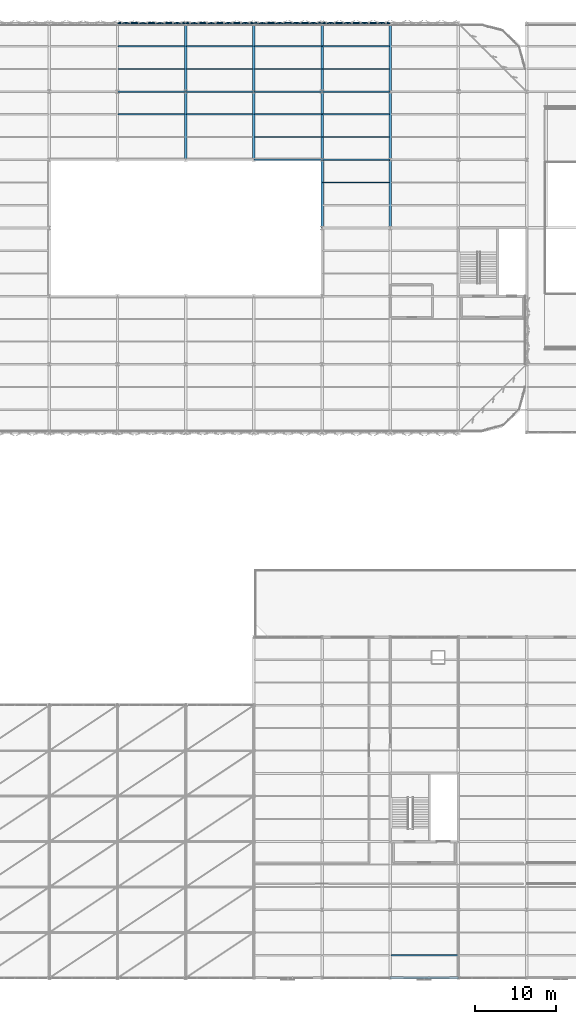
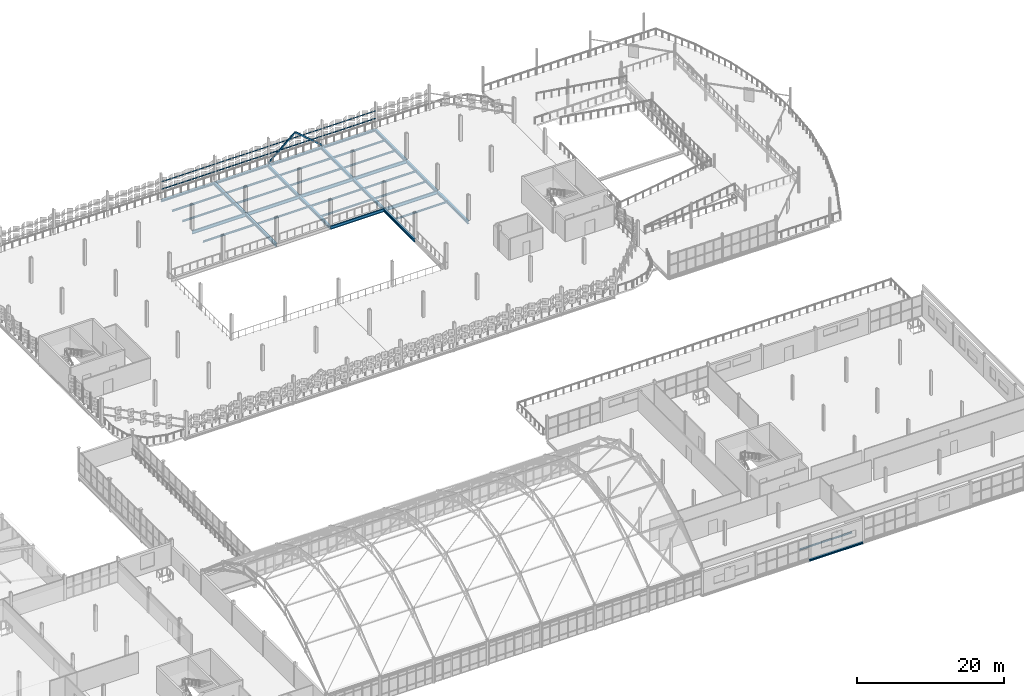
# One storey, part 117 of 184: 45 beams, 2 members.
"""IFC4 building model written with IfcOpenShell, lengths in metres."""

import ifcopenshell
import ifcopenshell.guid

model = None  # the IFC model being written
_history = None  # IfcOwnerHistory: only IFC2X3 demands one
_inside = {}  # id of a spatial element -> (the spatial element, [elements in it])
_under = {}  # id of a project, library or spatial element -> (it, [spatial elements below it])
_declared = {}  # id of a project -> (the project, [libraries it declares])
_typed = {}  # id of a type object -> (the type object, [elements of that type])
_made_of = {}  # id of a material, layer set ... -> (it, [elements and type objects made of it])


def new_model(schema):
    """Start an empty IFC model of exactly this schema.

    Asked for "IFC4X3", IfcOpenShell would pick the latest addendum, in which some entities
    have other attributes; the version numbers below select the first issue.
    IFC2X3 requires an IfcOwnerHistory on every rooted entity: one is made here for all.
    """
    global model, _history
    if schema == "IFC4X3":
        model = ifcopenshell.file(schema_version=(4, 3, 0, 0))
    else:
        model = ifcopenshell.file(schema=schema)
    _inside.clear()
    _under.clear()
    _declared.clear()
    _typed.clear()
    _made_of.clear()
    _history = None
    if model.schema == "IFC2X3":
        org = make("IfcOrganization", Name="unknown")
        user = make(
            "IfcPersonAndOrganization",
            ThePerson=make("IfcPerson", FamilyName="unknown"),
            TheOrganization=org,
        )
        app = make(
            "IfcApplication",
            ApplicationDeveloper=org,
            Version="unknown",
            ApplicationFullName="unknown",
            ApplicationIdentifier="unknown",
        )
        _history = make(
            "IfcOwnerHistory",
            OwningUser=user,
            OwningApplication=app,
            ChangeAction="ADDED",
            CreationDate=0,
        )
    return model


def make(cls, **values):
    """One entity of the class cls with the attributes given. An attribute that is None is left unset."""
    return model.create_entity(
        cls, **{name: value for name, value in values.items() if value is not None}
    )


def rooted(cls, **values):
    """An entity with a GlobalId (a new one), such as an element, a storey or a relation."""
    return make(cls, GlobalId=ifcopenshell.guid.new(), OwnerHistory=_history, **values)


def si_unit(unit_type, name, prefix=None):
    """IfcSIUnit, for example si_unit("LENGTHUNIT", "METRE", prefix="MILLI")."""
    return make("IfcSIUnit", UnitType=unit_type, Prefix=prefix, Name=name)


def assignment(units):
    """IfcUnitAssignment: the units of a project."""
    return None if units is None else make("IfcUnitAssignment", Units=units)


def point(xyz):
    """IfcCartesianPoint."""
    return None if xyz is None else make("IfcCartesianPoint", Coordinates=xyz)


def direction(xyz):
    """IfcDirection."""
    return None if xyz is None else make("IfcDirection", DirectionRatios=xyz)


def frame(location, z_axis=None, x_axis=None):
    """IfcAxis2Placement3D, a coordinate frame: its origin and axes. An axis left out is left unset."""
    return make(
        "IfcAxis2Placement3D",
        Location=point(location),
        Axis=direction(z_axis),
        RefDirection=direction(x_axis),
    )


def frame_2d(location, x_axis=None):
    """IfcAxis2Placement2D, a coordinate frame in the plane: its origin and x axis."""
    return make(
        "IfcAxis2Placement2D", Location=point(location), RefDirection=direction(x_axis)
    )


def origin():
    """The frame at (0, 0, 0) with its axes left unset."""
    return frame((0.0, 0.0, 0.0))


def origin_2d():
    """The frame at (0, 0) in the plane with its x axis left unset."""
    return frame_2d((0.0, 0.0))


def place(relative_to, where):
    """IfcLocalPlacement: puts the frame where relative to a parent placement (None: the world)."""
    return make(
        "IfcLocalPlacement", PlacementRelTo=relative_to, RelativePlacement=where
    )


def context(
    kind, dimensions, precision=None, world=None, true_north=None, identifier=None
):
    """IfcGeometricRepresentationContext, for example the 3D "Model" context."""
    return make(
        "IfcGeometricRepresentationContext",
        ContextIdentifier=identifier,
        ContextType=kind,
        CoordinateSpaceDimension=dimensions,
        Precision=precision,
        WorldCoordinateSystem=world,
        TrueNorth=true_north,
    )


def subcontext(parent, identifier, kind, view, scale=None):
    """IfcGeometricRepresentationSubContext, for example "Body" below "Model"."""
    return make(
        "IfcGeometricRepresentationSubContext",
        ContextIdentifier=identifier,
        ContextType=kind,
        ParentContext=parent,
        TargetScale=scale,
        TargetView=view,
    )


def project(units=None, contexts=None):
    """IfcProject with its units and contexts."""
    return rooted(
        "IfcProject",
        Name="project",
        RepresentationContexts=contexts,
        UnitsInContext=assignment(units),
    )


def spatial(cls, under=None, at=None, **own):
    """A site, building, storey or space (cls), placed at a placement, below another one or the project."""
    s = rooted(cls, ObjectPlacement=at, **own)
    if under is not None:
        _under.setdefault(under.id(), (under, []))[1].append(s)
    return s


def profile(cls, at=None, kind="AREA", **sizes):
    """A parametric profile (cls). Its sizes go by their IFC names, for example OverallWidth=200.0."""
    return make(cls, ProfileType=kind, Position=at, **sizes)


def hollow_rectangle(**sizes):
    """IfcRectangleHollowProfileDef."""
    return profile("IfcRectangleHollowProfileDef", **sizes)


def i_section(**sizes):
    """IfcIShapeProfileDef."""
    return profile("IfcIShapeProfileDef", **sizes)


def extrude(swept, where, along, depth):
    """IfcExtrudedAreaSolid: the profile swept, set in the frame where, extruded along a direction by depth."""
    return make(
        "IfcExtrudedAreaSolid",
        SweptArea=swept,
        Position=where,
        ExtrudedDirection=direction(along),
        Depth=depth,
    )


def shape(context_of_items, identifier, shape_type, items):
    """IfcShapeRepresentation: the items that make up one representation, for example the "Body"."""
    return make(
        "IfcShapeRepresentation",
        ContextOfItems=context_of_items,
        RepresentationIdentifier=identifier,
        RepresentationType=shape_type,
        Items=items,
    )


def material(Name=None, Category=None):
    """IfcMaterial."""
    return make("IfcMaterial", Name=Name, Category=Category)


def material_profile(
    of_material, cross_section, Name=None, Category=None, Priority=None
):
    """IfcMaterialProfile: a cross section and its material."""
    return make(
        "IfcMaterialProfile",
        Name=Name,
        Material=of_material,
        Profile=cross_section,
        Priority=Priority,
        Category=Category,
    )


def profile_set(profiles, Name=None, composite=None):
    """IfcMaterialProfileSet."""
    return make(
        "IfcMaterialProfileSet",
        Name=Name,
        MaterialProfiles=profiles,
        CompositeProfile=composite,
    )


def made_of(thing, what):
    """Note that an element or type object is made of a material, layer set ...; save() writes the relation."""
    if what is not None:
        _made_of.setdefault(what.id(), (what, []))[1].append(thing)
    return thing


def type_object(cls, material=None, **own):
    """A type object (cls), such as IfcWallType, which elements share."""
    return made_of(rooted(cls, **own), material)


def element(
    cls,
    number,
    at=None,
    inside=None,
    cuts=None,
    type_object=None,
    material=None,
    context=None,
    identifier="Body",
    shape_type=None,
    held_by="IfcProductDefinitionShape",
    body=None,
    shapes=None,
    **own,
):
    """One element of the class cls, such as IfcWall. Its Tag is "e" and its number.

    at: its placement. inside: the storey or other place that contains it. cuts: it is an
    opening in that element (IfcRelVoidsElement). A single representation is given by context,
    identifier, shape_type and body (its items); several are given by shapes. held_by: the class
    of the entity that holds the representations. save() writes the other relations.
    """
    e = rooted(cls, Tag="e%d" % number, ObjectPlacement=at, **own)
    if body is not None:
        shapes = [shape(context, identifier, shape_type, body)]
    if shapes is not None:
        e.Representation = make(held_by, Representations=shapes)
    if inside is not None:
        _inside.setdefault(inside.id(), (inside, []))[1].append(e)
    if cuts is not None:
        rooted(
            "IfcRelVoidsElement", RelatingBuildingElement=cuts, RelatedOpeningElement=e
        )
    if type_object is not None:
        _typed.setdefault(type_object.id(), (type_object, []))[1].append(e)
    return made_of(e, material)


def aggregate(whole, parts):
    """IfcRelAggregates: a whole, such as a stair, and the parts it consists of."""
    return rooted("IfcRelAggregates", RelatingObject=whole, RelatedObjects=parts)


def save(model, path):
    """Write the relations noted so far, then the file.

    IfcRelAggregates (storeys below a building ...), IfcRelContainedInSpatialStructure (elements
    in a storey), IfcRelDefinesByType, IfcRelAssociatesMaterial and IfcRelDeclares: one each for
    every whole, place, type object, material and project.
    """
    for whole, parts in _under.values():
        aggregate(whole, parts)
    for where, things in _inside.values():
        rooted(
            "IfcRelContainedInSpatialStructure",
            RelatedElements=things,
            RelatingStructure=where,
        )
    for kind, things in _typed.values():
        rooted("IfcRelDefinesByType", RelatedObjects=things, RelatingType=kind)
    for what, things in _made_of.values():
        rooted("IfcRelAssociatesMaterial", RelatedObjects=things, RelatingMaterial=what)
    for by, libraries in _declared.values():
        rooted("IfcRelDeclares", RelatingContext=by, RelatedDefinitions=libraries)
    model.write(path)


model = new_model("IFC4")

# Units and contexts
model_context = context("Model", 3, precision=1e-05, world=origin(), true_north=direction((0.0, 1.0)))
body_context = subcontext(model_context, "Body", "Model", "MODEL_VIEW")
ifc_project = project(units=[si_unit("LENGTHUNIT", "METRE"), si_unit("AREAUNIT", "SQUARE_METRE"), si_unit("VOLUMEUNIT", "CUBIC_METRE"), si_unit("PLANEANGLEUNIT", "RADIAN"), si_unit("MASSUNIT", "GRAM", prefix="KILO")], contexts=[model_context])

# Site, building, storey
site_placement = place(None, origin())
site = spatial("IfcSite", under=ifc_project, at=site_placement, CompositionType="ELEMENT")
building_placement = place(site_placement, origin())
building = spatial("IfcBuilding", under=site, at=building_placement, Name="Qalvenar Corner Mobility Hub", CompositionType="ELEMENT")
storey_placement = place(building_placement, frame((0.0, 0.0, 9.0)))
storey = spatial("IfcBuildingStorey", under=building, at=storey_placement, Name="L02", CompositionType="ELEMENT", Elevation=9.0)

# Beams
ifc_material = material(Name="Steel S355", Category="steel")
ifc_material_profile_1 = material_profile(ifc_material, i_section(OverallWidth=0.300048828125, OverallDepth=0.489990234375, WebThickness=0.011962890625, FlangeThickness=0.02294921875, FilletRadius=0.027099609375, at=origin_2d()), Name="HEA500")
ifc_profile_set_1 = profile_set([ifc_material_profile_1], Name="Steel S355")
beam_type_1 = type_object("IfcBeamType", Name="BM-HEA500", PredefinedType="BEAM", material=ifc_profile_set_1)
beam_1_placement = place(storey_placement, frame((100.800048828125, 100.800048828125, -0.485107421875), z_axis=(0.0, 1.0, 0.0), x_axis=(-1.0, 0.0, 0.0)))
element("IfcBeam", 1, at=beam_1_placement, inside=storey, type_object=beam_type_1, Name="Primary Steel Girder GY-1992", PredefinedType="BEAM", context=body_context, shape_type="SweptSolid", body=[
    extrude(i_section(OverallWidth=0.300048828125, OverallDepth=0.489990234375, WebThickness=0.011962890625, FlangeThickness=0.02294921875, FilletRadius=0.027099609375, at=origin_2d()), origin(), (0.0, 0.0, 1.0), 8.39990234375),
])
beam_2_placement = place(storey_placement, frame((100.800048828125, 109.199951171875, -0.485107421875), z_axis=(0.0, 1.0, 0.0), x_axis=(-1.0, 0.0, 0.0)))
element("IfcBeam", 2, at=beam_2_placement, inside=storey, type_object=beam_type_1, Name="Primary Steel Girder GY-1993", PredefinedType="BEAM", context=body_context, shape_type="SweptSolid", body=[
    extrude(i_section(OverallWidth=0.300048828125, OverallDepth=0.489990234375, WebThickness=0.011962890625, FlangeThickness=0.02294921875, FilletRadius=0.027099609375, at=origin_2d()), origin(), (0.0, 0.0, 1.0), 8.400146484375),
])
beam_3_placement = place(storey_placement, frame((109.199951171875, 100.800048828125, -0.485107421875), z_axis=(0.0, 1.0, 0.0), x_axis=(-1.0, 0.0, 0.0)))
element("IfcBeam", 3, at=beam_3_placement, inside=storey, type_object=beam_type_1, Name="Primary Steel Girder GY-1996", PredefinedType="BEAM", context=body_context, shape_type="SweptSolid", body=[
    extrude(i_section(OverallWidth=0.300048828125, OverallDepth=0.489990234375, WebThickness=0.011962890625, FlangeThickness=0.02294921875, FilletRadius=0.027099609375, at=origin_2d()), origin(), (0.0, 0.0, 1.0), 8.39990234375),
])
for number, where, z_axis, x_axis, name in (
    (4, (109.199951171875, 109.199951171875, -0.485107421875), (0.0, 1.0, 0.0), (-1.0, 0.0, 0.0), "Primary Steel Girder GY-1997"),
    (5, (117.60009765625, 92.39990234375, -0.485107421875), (0.0, 1.0, 0.0), (-1.0, 0.0, 0.0), "Primary Steel Girder GY-2001"),
):
    element("IfcBeam", number, at=place(storey_placement, frame(where, z_axis=z_axis, x_axis=x_axis)), inside=storey, type_object=beam_type_1, Name=name, PredefinedType="BEAM", context=body_context, shape_type="SweptSolid", body=[
        extrude(i_section(OverallWidth=0.300048828125, OverallDepth=0.489990234375, WebThickness=0.011962890625, FlangeThickness=0.02294921875, FilletRadius=0.027099609375, at=origin_2d()), origin(), (0.0, 0.0, 1.0), 8.400146484375),
    ])
beam_4_placement = place(storey_placement, frame((117.60009765625, 100.800048828125, -0.485107421875), z_axis=(0.0, 1.0, 0.0), x_axis=(-1.0, 0.0, 0.0)))
element("IfcBeam", 6, at=beam_4_placement, inside=storey, type_object=beam_type_1, Name="Primary Steel Girder GY-2002", PredefinedType="BEAM", context=body_context, shape_type="SweptSolid", body=[
    extrude(i_section(OverallWidth=0.300048828125, OverallDepth=0.489990234375, WebThickness=0.011962890625, FlangeThickness=0.02294921875, FilletRadius=0.027099609375, at=origin_2d()), origin(), (0.0, 0.0, 1.0), 8.39990234375),
])
for number, where, z_axis, x_axis, name in (
    (7, (117.60009765625, 109.199951171875, -0.485107421875), (0.0, 1.0, 0.0), (-1.0, 0.0, 0.0), "Primary Steel Girder GY-2003"),
    (8, (126.0, 92.39990234375, -0.485107421875), (0.0, 1.0, 0.0), (-1.0, 0.0, 0.0), "Primary Steel Girder GY-2007"),
):
    element("IfcBeam", number, at=place(storey_placement, frame(where, z_axis=z_axis, x_axis=x_axis)), inside=storey, type_object=beam_type_1, Name=name, PredefinedType="BEAM", context=body_context, shape_type="SweptSolid", body=[
        extrude(i_section(OverallWidth=0.300048828125, OverallDepth=0.489990234375, WebThickness=0.011962890625, FlangeThickness=0.02294921875, FilletRadius=0.027099609375, at=origin_2d()), origin(), (0.0, 0.0, 1.0), 8.400146484375),
    ])
beam_5_placement = place(storey_placement, frame((126.0, 100.800048828125, -0.485107421875), z_axis=(0.0, 1.0, 0.0), x_axis=(-1.0, 0.0, 0.0)))
element("IfcBeam", 9, at=beam_5_placement, inside=storey, type_object=beam_type_1, Name="Primary Steel Girder GY-2008", PredefinedType="BEAM", context=body_context, shape_type="SweptSolid", body=[
    extrude(i_section(OverallWidth=0.300048828125, OverallDepth=0.489990234375, WebThickness=0.011962890625, FlangeThickness=0.02294921875, FilletRadius=0.027099609375, at=origin_2d()), origin(), (0.0, 0.0, 1.0), 8.39990234375),
])
beam_6_placement = place(storey_placement, frame((126.0, 109.199951171875, -0.485107421875), z_axis=(0.0, 1.0, 0.0), x_axis=(-1.0, 0.0, 0.0)))
element("IfcBeam", 10, at=beam_6_placement, inside=storey, type_object=beam_type_1, Name="Primary Steel Girder GY-2009", PredefinedType="BEAM", context=body_context, shape_type="SweptSolid", body=[
    extrude(i_section(OverallWidth=0.300048828125, OverallDepth=0.489990234375, WebThickness=0.011962890625, FlangeThickness=0.02294921875, FilletRadius=0.027099609375, at=origin_2d()), origin(), (0.0, 0.0, 1.0), 8.400146484375),
])
ifc_material_profile_2 = material_profile(ifc_material, i_section(OverallWidth=0.2099609375, OverallDepth=0.550048828125, WebThickness=0.010986328125, FlangeThickness=0.01708984375, FilletRadius=0.02392578125, at=origin_2d()), Name="IPE550")
ifc_profile_set_2 = profile_set([ifc_material_profile_2], Name="Steel S355")
beam_type_2 = type_object("IfcBeamType", Name="BM-IPE550", PredefinedType="BEAM", material=ifc_profile_set_2)
beam_7_placement = place(storey_placement, frame((109.199951171875, 100.800048828125, -0.514892578125), z_axis=(1.0, 0.0, 0.0), x_axis=(0.0, 1.0, 0.0)))
element("IfcBeam", 11, at=beam_7_placement, inside=storey, type_object=beam_type_2, Name="Primary Steel Girder GX-1942", PredefinedType="BEAM", context=body_context, shape_type="SweptSolid", body=[
    extrude(i_section(OverallWidth=0.2099609375, OverallDepth=0.550048828125, WebThickness=0.010986328125, FlangeThickness=0.01708984375, FilletRadius=0.02392578125, at=origin_2d()), origin(), (0.0, 0.0, 1.0), 8.400146484375),
])
beam_8_placement = place(storey_placement, frame((117.60009765625, 100.800048828125, -0.514892578125), z_axis=(1.0, 0.0, 0.0), x_axis=(0.0, 1.0, 0.0)))
element("IfcBeam", 12, at=beam_8_placement, inside=storey, type_object=beam_type_2, Name="Primary Steel Girder GX-1943", PredefinedType="BEAM", context=body_context, shape_type="SweptSolid", body=[
    extrude(i_section(OverallWidth=0.2099609375, OverallDepth=0.550048828125, WebThickness=0.010986328125, FlangeThickness=0.01708984375, FilletRadius=0.02392578125, at=origin_2d()), origin(), (0.0, 0.0, 1.0), 8.39990234375),
])
beam_9_placement = place(storey_placement, frame((92.39990234375, 109.199951171875, -0.514892578125), z_axis=(1.0, 0.0, 0.0), x_axis=(0.0, 1.0, 0.0)))
element("IfcBeam", 13, at=beam_9_placement, inside=storey, type_object=beam_type_2, Name="Primary Steel Girder GX-1950", PredefinedType="BEAM", context=body_context, shape_type="SweptSolid", body=[
    extrude(i_section(OverallWidth=0.2099609375, OverallDepth=0.550048828125, WebThickness=0.010986328125, FlangeThickness=0.01708984375, FilletRadius=0.02392578125, at=origin_2d()), origin(), (0.0, 0.0, 1.0), 8.400146484375),
])
beam_10_placement = place(storey_placement, frame((100.800048828125, 109.199951171875, -0.514892578125), z_axis=(1.0, 0.0, 0.0), x_axis=(0.0, 1.0, 0.0)))
element("IfcBeam", 14, at=beam_10_placement, inside=storey, type_object=beam_type_2, Name="Primary Steel Girder GX-1951", PredefinedType="BEAM", context=body_context, shape_type="SweptSolid", body=[
    extrude(i_section(OverallWidth=0.2099609375, OverallDepth=0.550048828125, WebThickness=0.010986328125, FlangeThickness=0.01708984375, FilletRadius=0.02392578125, at=origin_2d()), origin(), (0.0, 0.0, 1.0), 8.39990234375),
])
beam_11_placement = place(storey_placement, frame((109.199951171875, 109.199951171875, -0.514892578125), z_axis=(1.0, 0.0, 0.0), x_axis=(0.0, 1.0, 0.0)))
element("IfcBeam", 15, at=beam_11_placement, inside=storey, type_object=beam_type_2, Name="Primary Steel Girder GX-1952", PredefinedType="BEAM", context=body_context, shape_type="SweptSolid", body=[
    extrude(i_section(OverallWidth=0.2099609375, OverallDepth=0.550048828125, WebThickness=0.010986328125, FlangeThickness=0.01708984375, FilletRadius=0.02392578125, at=origin_2d()), origin(), (0.0, 0.0, 1.0), 8.400146484375),
])
beam_12_placement = place(storey_placement, frame((117.60009765625, 109.199951171875, -0.514892578125), z_axis=(1.0, 0.0, 0.0), x_axis=(0.0, 1.0, 0.0)))
element("IfcBeam", 16, at=beam_12_placement, inside=storey, type_object=beam_type_2, Name="Primary Steel Girder GX-1953", PredefinedType="BEAM", context=body_context, shape_type="SweptSolid", body=[
    extrude(i_section(OverallWidth=0.2099609375, OverallDepth=0.550048828125, WebThickness=0.010986328125, FlangeThickness=0.01708984375, FilletRadius=0.02392578125, at=origin_2d()), origin(), (0.0, 0.0, 1.0), 8.39990234375),
])
ifc_material_profile_3 = material_profile(ifc_material, i_section(OverallWidth=0.135009765625, OverallDepth=0.27001953125, WebThickness=0.006591796875, FlangeThickness=0.01025390625, FilletRadius=0.014892578125, at=origin_2d()), Name="IPE270")
ifc_profile_set_3 = profile_set([ifc_material_profile_3], Name="Steel S355")
beam_type_3 = type_object("IfcBeamType", Name="BM-JST270", PredefinedType="JOIST", material=ifc_profile_set_3)
beam_13_placement = place(storey_placement, frame((126.077880859375, 2.800048828125, -0.31494140625), z_axis=(1.0, 0.0, 0.0), x_axis=(0.0, 1.0, 0.0)))
element("IfcBeam", 17, at=beam_13_placement, inside=storey, type_object=beam_type_3, Name="Composite Floor Joist J-1771", PredefinedType="JOIST", context=body_context, shape_type="SweptSolid", body=[
    extrude(i_section(OverallWidth=0.135009765625, OverallDepth=0.27001953125, WebThickness=0.006591796875, FlangeThickness=0.01025390625, FilletRadius=0.014892578125, at=origin_2d()), origin(), (0.0, 0.0, 1.0), 8.244140625),
])
ifc_material_profile_4 = material_profile(ifc_material, i_section(OverallWidth=0.14990234375, OverallDepth=0.300048828125, WebThickness=0.007080078125, FlangeThickness=0.0107421875, FilletRadius=0.014892578125, at=origin_2d()), Name="IPE300")
ifc_profile_set_4 = profile_set([ifc_material_profile_4], Name="Steel S355")
beam_type_4 = type_object("IfcBeamType", Name="BM-JST300", PredefinedType="JOIST", material=ifc_profile_set_4)
for number, where, z_axis, x_axis, name in (
    (18, (92.47802734375, 106.39990234375, -0.389892578125), (1.0, 0.0, 0.0), (0.0, 1.0, 0.0), "Composite Floor Joist J-2063"),
    (19, (92.47802734375, 112.0, -0.389892578125), (1.0, 0.0, 0.0), (0.0, 1.0, 0.0), "Composite Floor Joist J-2064"),
    (20, (92.47802734375, 114.800048828125, -0.389892578125), (1.0, 0.0, 0.0), (0.0, 1.0, 0.0), "Composite Floor Joist J-2065"),
):
    element("IfcBeam", number, at=place(storey_placement, frame(where, z_axis=z_axis, x_axis=x_axis)), inside=storey, type_object=beam_type_4, Name=name, PredefinedType="JOIST", context=body_context, shape_type="SweptSolid", body=[
        extrude(i_section(OverallWidth=0.14990234375, OverallDepth=0.300048828125, WebThickness=0.007080078125, FlangeThickness=0.0107421875, FilletRadius=0.014892578125, at=origin_2d()), origin(), (0.0, 0.0, 1.0), 8.243896484375),
    ])
for number, where, z_axis, x_axis, name in (
    (21, (100.8779296875, 106.39990234375, -0.389892578125), (1.0, 0.0, 0.0), (0.0, 1.0, 0.0), "Composite Floor Joist J-2071"),
    (22, (100.8779296875, 112.0, -0.389892578125), (1.0, 0.0, 0.0), (0.0, 1.0, 0.0), "Composite Floor Joist J-2072"),
    (23, (100.8779296875, 114.800048828125, -0.389892578125), (1.0, 0.0, 0.0), (0.0, 1.0, 0.0), "Composite Floor Joist J-2073"),
):
    element("IfcBeam", number, at=place(storey_placement, frame(where, z_axis=z_axis, x_axis=x_axis)), inside=storey, type_object=beam_type_4, Name=name, PredefinedType="JOIST", context=body_context, shape_type="SweptSolid", body=[
        extrude(i_section(OverallWidth=0.14990234375, OverallDepth=0.300048828125, WebThickness=0.007080078125, FlangeThickness=0.0107421875, FilletRadius=0.014892578125, at=origin_2d()), origin(), (0.0, 0.0, 1.0), 8.244140625),
    ])
for number, where, z_axis, x_axis, name in (
    (24, (109.278076171875, 103.60009765625, -0.389892578125), (1.0, 0.0, 0.0), (0.0, 1.0, 0.0), "Composite Floor Joist J-2078"),
    (25, (109.278076171875, 106.39990234375, -0.389892578125), (1.0, 0.0, 0.0), (0.0, 1.0, 0.0), "Composite Floor Joist J-2079"),
    (26, (109.278076171875, 112.0, -0.389892578125), (1.0, 0.0, 0.0), (0.0, 1.0, 0.0), "Composite Floor Joist J-2080"),
    (27, (109.278076171875, 114.800048828125, -0.389892578125), (1.0, 0.0, 0.0), (0.0, 1.0, 0.0), "Composite Floor Joist J-2081"),
):
    element("IfcBeam", number, at=place(storey_placement, frame(where, z_axis=z_axis, x_axis=x_axis)), inside=storey, type_object=beam_type_4, Name=name, PredefinedType="JOIST", context=body_context, shape_type="SweptSolid", body=[
        extrude(i_section(OverallWidth=0.14990234375, OverallDepth=0.300048828125, WebThickness=0.007080078125, FlangeThickness=0.0107421875, FilletRadius=0.014892578125, at=origin_2d()), origin(), (0.0, 0.0, 1.0), 8.243896484375),
    ])
for number, where, z_axis, x_axis, name in (
    (28, (117.677978515625, 98.0, -0.389892578125), (1.0, 0.0, 0.0), (0.0, 1.0, 0.0), "Composite Floor Joist J-2089"),
    (29, (117.677978515625, 103.60009765625, -0.389892578125), (1.0, 0.0, 0.0), (0.0, 1.0, 0.0), "Composite Floor Joist J-2090"),
    (30, (117.677978515625, 106.39990234375, -0.389892578125), (1.0, 0.0, 0.0), (0.0, 1.0, 0.0), "Composite Floor Joist J-2091"),
    (31, (117.677978515625, 112.0, -0.389892578125), (1.0, 0.0, 0.0), (0.0, 1.0, 0.0), "Composite Floor Joist J-2092"),
    (32, (117.677978515625, 114.800048828125, -0.389892578125), (1.0, 0.0, 0.0), (0.0, 1.0, 0.0), "Composite Floor Joist J-2093"),
):
    element("IfcBeam", number, at=place(storey_placement, frame(where, z_axis=z_axis, x_axis=x_axis)), inside=storey, type_object=beam_type_4, Name=name, PredefinedType="JOIST", context=body_context, shape_type="SweptSolid", body=[
        extrude(i_section(OverallWidth=0.14990234375, OverallDepth=0.300048828125, WebThickness=0.007080078125, FlangeThickness=0.0107421875, FilletRadius=0.014892578125, at=origin_2d()), origin(), (0.0, 0.0, 1.0), 8.244140625),
    ])
ifc_material_profile_5 = material_profile(ifc_material, i_section(OverallWidth=0.300048828125, OverallDepth=0.31005859375, WebThickness=0.009033203125, FlangeThickness=0.015380859375, FilletRadius=0.027099609375, at=origin_2d()), Name="HEA320")
ifc_profile_set_5 = profile_set([ifc_material_profile_5], Name="Steel S355")
beam_type_5 = type_object("IfcBeamType", Name="BM-SPN320", PredefinedType="SPANDREL", material=ifc_profile_set_5)
beam_14_placement = place(storey_placement, frame((126.0, 0.0, -0.3349609375), z_axis=(1.0, 0.0, 0.0), x_axis=(0.0, 1.0, 0.0)))
element("IfcBeam", 33, at=beam_14_placement, inside=storey, type_object=beam_type_5, Name="Primary Steel Girder GX-1671", PredefinedType="SPANDREL", context=body_context, shape_type="SweptSolid", body=[
    extrude(i_section(OverallWidth=0.300048828125, OverallDepth=0.31005859375, WebThickness=0.009033203125, FlangeThickness=0.015380859375, FilletRadius=0.027099609375, at=origin_2d()), origin(), (0.0, 0.0, 1.0), 8.39990234375),
])
beam_15_placement = place(storey_placement, frame((92.39990234375, 117.60009765625, -0.39501953125), z_axis=(1.0, 0.0, 0.0), x_axis=(0.0, 1.0, 0.0)))
element("IfcBeam", 34, at=beam_15_placement, inside=storey, type_object=beam_type_5, Name="Primary Steel Girder GX-1959", PredefinedType="SPANDREL", context=body_context, shape_type="SweptSolid", body=[
    extrude(i_section(OverallWidth=0.300048828125, OverallDepth=0.31005859375, WebThickness=0.009033203125, FlangeThickness=0.015380859375, FilletRadius=0.027099609375, at=origin_2d()), origin(), (0.0, 0.0, 1.0), 8.400146484375),
])
beam_16_placement = place(storey_placement, frame((100.800048828125, 117.60009765625, -0.39501953125), z_axis=(1.0, 0.0, 0.0), x_axis=(0.0, 1.0, 0.0)))
element("IfcBeam", 35, at=beam_16_placement, inside=storey, type_object=beam_type_5, Name="Primary Steel Girder GX-1960", PredefinedType="SPANDREL", context=body_context, shape_type="SweptSolid", body=[
    extrude(i_section(OverallWidth=0.300048828125, OverallDepth=0.31005859375, WebThickness=0.009033203125, FlangeThickness=0.015380859375, FilletRadius=0.027099609375, at=origin_2d()), origin(), (0.0, 0.0, 1.0), 8.39990234375),
])
beam_17_placement = place(storey_placement, frame((109.199951171875, 117.60009765625, -0.39501953125), z_axis=(1.0, 0.0, 0.0), x_axis=(0.0, 1.0, 0.0)))
element("IfcBeam", 36, at=beam_17_placement, inside=storey, type_object=beam_type_5, Name="Primary Steel Girder GX-1961", PredefinedType="SPANDREL", context=body_context, shape_type="SweptSolid", body=[
    extrude(i_section(OverallWidth=0.300048828125, OverallDepth=0.31005859375, WebThickness=0.009033203125, FlangeThickness=0.015380859375, FilletRadius=0.027099609375, at=origin_2d()), origin(), (0.0, 0.0, 1.0), 8.400146484375),
])
beam_18_placement = place(storey_placement, frame((117.60009765625, 117.60009765625, -0.39501953125), z_axis=(1.0, 0.0, 0.0), x_axis=(0.0, 1.0, 0.0)))
element("IfcBeam", 37, at=beam_18_placement, inside=storey, type_object=beam_type_5, Name="Primary Steel Girder GX-1962", PredefinedType="SPANDREL", context=body_context, shape_type="SweptSolid", body=[
    extrude(i_section(OverallWidth=0.300048828125, OverallDepth=0.31005859375, WebThickness=0.009033203125, FlangeThickness=0.015380859375, FilletRadius=0.027099609375, at=origin_2d()), origin(), (0.0, 0.0, 1.0), 8.39990234375),
])

# Members
ifc_material_profile_6 = material_profile(ifc_material, hollow_rectangle(XDim=0.14990234375, YDim=0.25, WallThickness=0.010009765625, InnerFilletRadius=0.010009765625, OuterFilletRadius=0.02001953125, at=origin_2d()), Name="RHS250x150x10")
ifc_profile_set_6 = profile_set([ifc_material_profile_6], Name="Steel S355")
member_type = type_object("IfcMemberType", Name="BR-RHS250", PredefinedType="BRACE", material=ifc_profile_set_6)
member_1_placement = place(storey_placement, frame((109.199951171875, 117.60009765625, 0.02001953125), z_axis=(0.757479038629, 0.0, 0.652859484145), x_axis=(0.0, 1.0, 0.0)))
element("IfcMember", 38, at=member_1_placement, inside=storey, type_object=member_type, Name="Chevron Lateral Brace BR-033", PredefinedType="BRACE", context=body_context, shape_type="SweptSolid", body=[
    extrude(hollow_rectangle(XDim=0.14990234375, YDim=0.25, WallThickness=0.010009765625, InnerFilletRadius=0.010009765625, OuterFilletRadius=0.02001953125, at=origin_2d()), origin(), (0.0, 0.0, 1.0), 5.544677734375),
])
member_2_placement = place(storey_placement, frame((117.60009765625, 117.60009765625, 0.02001953125), z_axis=(-0.757497805166, 0.0, 0.652837709672), x_axis=(0.0, -1.0, 0.0)))
element("IfcMember", 39, at=member_2_placement, inside=storey, type_object=member_type, Name="Chevron Lateral Brace BR-034", PredefinedType="BRACE", context=body_context, shape_type="SweptSolid", body=[
    extrude(hollow_rectangle(XDim=0.14990234375, YDim=0.25, WallThickness=0.010009765625, InnerFilletRadius=0.010009765625, OuterFilletRadius=0.02001953125, at=origin_2d()), origin(), (0.0, 0.0, 1.0), 5.544921875),
])

# Beams
ifc_material_profile_7 = material_profile(ifc_material, hollow_rectangle(XDim=0.080078125, YDim=0.139892578125, WallThickness=0.0048828125, InnerFilletRadius=0.0048828125, OuterFilletRadius=0.010009765625, at=origin_2d()), Name="RHS140x80x5")
ifc_profile_set_7 = profile_set([ifc_material_profile_7], Name="Steel S355")
beam_type_6 = type_object("IfcBeamType", Name="FR-RAIL140", PredefinedType="SPANDREL", material=ifc_profile_set_7)
beam_19_placement = place(storey_placement, frame((126.0, 117.60009765625, 2.75), z_axis=(-1.0, 0.0, 0.0), x_axis=(0.0, -1.0, 0.0)))
element("IfcBeam", 40, at=beam_19_placement, inside=storey, type_object=beam_type_6, Name="Facade Hinge Support Rail FR-L02-0068", PredefinedType="SPANDREL", context=body_context, shape_type="SweptSolid", body=[
    extrude(hollow_rectangle(XDim=0.080078125, YDim=0.139892578125, WallThickness=0.0048828125, InnerFilletRadius=0.0048828125, OuterFilletRadius=0.010009765625, at=origin_2d()), origin(), (0.0, 0.0, 1.0), 8.39990234375),
])
beam_20_placement = place(storey_placement, frame((117.60009765625, 117.60009765625, 2.75), z_axis=(-1.0, 0.0, 0.0), x_axis=(0.0, -1.0, 0.0)))
element("IfcBeam", 41, at=beam_20_placement, inside=storey, type_object=beam_type_6, Name="Facade Hinge Support Rail FR-L02-0070", PredefinedType="SPANDREL", context=body_context, shape_type="SweptSolid", body=[
    extrude(hollow_rectangle(XDim=0.080078125, YDim=0.139892578125, WallThickness=0.0048828125, InnerFilletRadius=0.0048828125, OuterFilletRadius=0.010009765625, at=origin_2d()), origin(), (0.0, 0.0, 1.0), 8.400146484375),
])
beam_21_placement = place(storey_placement, frame((109.199951171875, 117.60009765625, 2.75), z_axis=(-1.0, 0.0, 0.0), x_axis=(0.0, -1.0, 0.0)))
element("IfcBeam", 42, at=beam_21_placement, inside=storey, type_object=beam_type_6, Name="Facade Hinge Support Rail FR-L02-0072", PredefinedType="SPANDREL", context=body_context, shape_type="SweptSolid", body=[
    extrude(hollow_rectangle(XDim=0.080078125, YDim=0.139892578125, WallThickness=0.0048828125, InnerFilletRadius=0.0048828125, OuterFilletRadius=0.010009765625, at=origin_2d()), origin(), (0.0, 0.0, 1.0), 8.39990234375),
])
beam_22_placement = place(storey_placement, frame((100.800048828125, 117.60009765625, 2.75), z_axis=(-1.0, 0.0, 0.0), x_axis=(0.0, -1.0, 0.0)))
element("IfcBeam", 43, at=beam_22_placement, inside=storey, type_object=beam_type_6, Name="Facade Hinge Support Rail FR-L02-0074", PredefinedType="SPANDREL", context=body_context, shape_type="SweptSolid", body=[
    extrude(hollow_rectangle(XDim=0.080078125, YDim=0.139892578125, WallThickness=0.0048828125, InnerFilletRadius=0.0048828125, OuterFilletRadius=0.010009765625, at=origin_2d()), origin(), (0.0, 0.0, 1.0), 8.400146484375),
])
ifc_material_profile_8 = material_profile(ifc_material, hollow_rectangle(XDim=0.090087890625, YDim=0.159912109375, WallThickness=0.00634765625, InnerFilletRadius=0.00634765625, OuterFilletRadius=0.0126953125, at=origin_2d()), Name="RHS160x90x6.3")
ifc_profile_set_8 = profile_set([ifc_material_profile_8], Name="Steel S355")
beam_type_7 = type_object("IfcBeamType", Name="FR-RAIL160", PredefinedType="SPANDREL", material=ifc_profile_set_8)
beam_23_placement = place(storey_placement, frame((126.0, 117.60009765625, 1.5), z_axis=(-1.0, 0.0, 0.0), x_axis=(0.0, -1.0, 0.0)))
element("IfcBeam", 44, at=beam_23_placement, inside=storey, type_object=beam_type_7, Name="Facade Hinge Support Rail FR-L02-0067", PredefinedType="SPANDREL", context=body_context, shape_type="SweptSolid", body=[
    extrude(hollow_rectangle(XDim=0.090087890625, YDim=0.159912109375, WallThickness=0.00634765625, InnerFilletRadius=0.00634765625, OuterFilletRadius=0.0126953125, at=origin_2d()), origin(), (0.0, 0.0, 1.0), 8.39990234375),
])
beam_24_placement = place(storey_placement, frame((117.60009765625, 117.60009765625, 1.5), z_axis=(-1.0, 0.0, 0.0), x_axis=(0.0, -1.0, 0.0)))
element("IfcBeam", 45, at=beam_24_placement, inside=storey, type_object=beam_type_7, Name="Facade Hinge Support Rail FR-L02-0069", PredefinedType="SPANDREL", context=body_context, shape_type="SweptSolid", body=[
    extrude(hollow_rectangle(XDim=0.090087890625, YDim=0.159912109375, WallThickness=0.00634765625, InnerFilletRadius=0.00634765625, OuterFilletRadius=0.0126953125, at=origin_2d()), origin(), (0.0, 0.0, 1.0), 8.400146484375),
])
beam_25_placement = place(storey_placement, frame((109.199951171875, 117.60009765625, 1.5), z_axis=(-1.0, 0.0, 0.0), x_axis=(0.0, -1.0, 0.0)))
element("IfcBeam", 46, at=beam_25_placement, inside=storey, type_object=beam_type_7, Name="Facade Hinge Support Rail FR-L02-0071", PredefinedType="SPANDREL", context=body_context, shape_type="SweptSolid", body=[
    extrude(hollow_rectangle(XDim=0.090087890625, YDim=0.159912109375, WallThickness=0.00634765625, InnerFilletRadius=0.00634765625, OuterFilletRadius=0.0126953125, at=origin_2d()), origin(), (0.0, 0.0, 1.0), 8.39990234375),
])
beam_26_placement = place(storey_placement, frame((100.800048828125, 117.60009765625, 1.5), z_axis=(-1.0, 0.0, 0.0), x_axis=(0.0, -1.0, 0.0)))
element("IfcBeam", 47, at=beam_26_placement, inside=storey, type_object=beam_type_7, Name="Facade Hinge Support Rail FR-L02-0073", PredefinedType="SPANDREL", context=body_context, shape_type="SweptSolid", body=[
    extrude(hollow_rectangle(XDim=0.090087890625, YDim=0.159912109375, WallThickness=0.00634765625, InnerFilletRadius=0.00634765625, OuterFilletRadius=0.0126953125, at=origin_2d()), origin(), (0.0, 0.0, 1.0), 8.400146484375),
])

save(model, "model.ifc")
